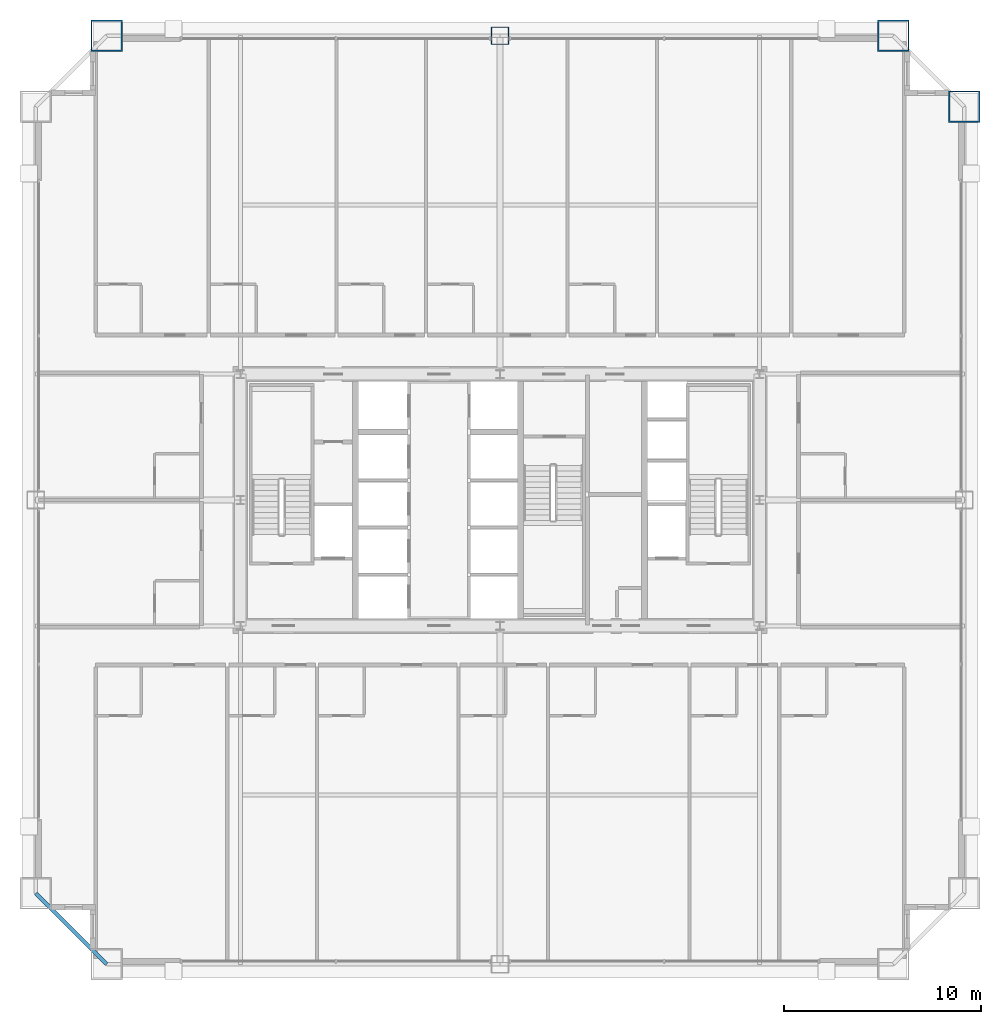
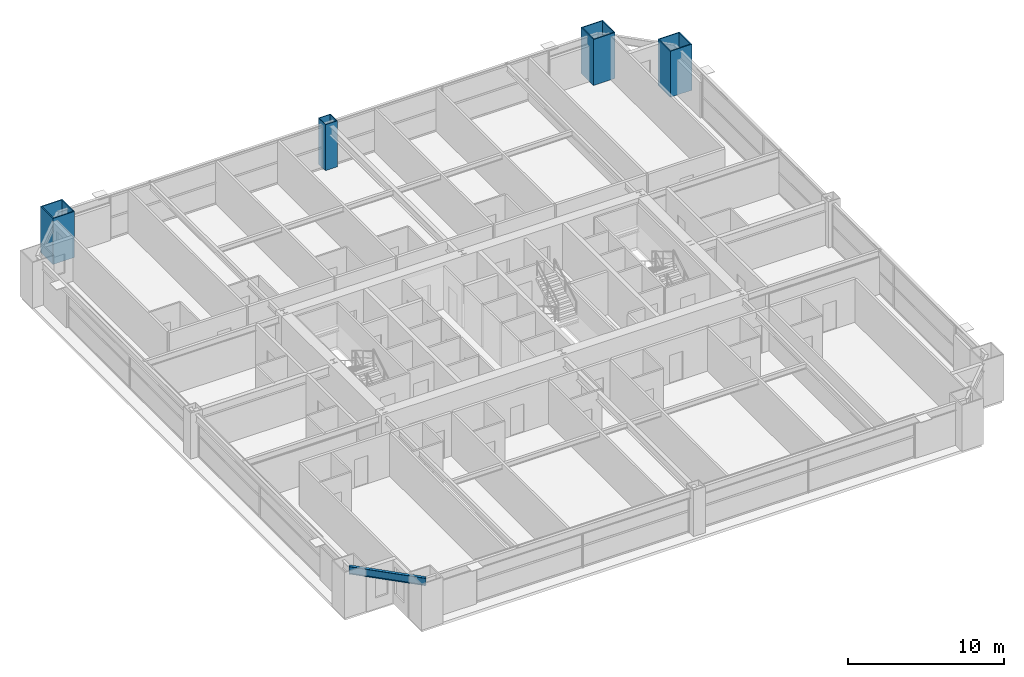
# One storey, part 2 of 38: 4 columns, 1 beam.
"""IFC4 building model written with IfcOpenShell, lengths in metres."""

from ifc_helpers import new_model, si_unit, direction, frame, origin, origin_2d, place, context, subcontext, project, spatial, hollow_rectangle, i_section, extrude, source, transform, mapped, material, material_profile, profile_set, type_object, element, save


model = new_model("IFC4")

# Units and contexts
model_context = context("Model", 3, precision=1e-05, world=origin(), true_north=direction((0.0, 1.0)))
body_context = subcontext(model_context, "Body", "Model", "MODEL_VIEW")
ifc_project = project(units=[si_unit("LENGTHUNIT", "METRE"), si_unit("AREAUNIT", "SQUARE_METRE"), si_unit("VOLUMEUNIT", "CUBIC_METRE"), si_unit("PLANEANGLEUNIT", "RADIAN"), si_unit("MASSUNIT", "GRAM", prefix="KILO"), si_unit("THERMODYNAMICTEMPERATUREUNIT", "KELVIN"), si_unit("POWERUNIT", "WATT")], contexts=[model_context])

# Site, building, storey
site_placement = place(None, origin())
site = spatial("IfcSite", under=ifc_project, at=site_placement, CompositionType="ELEMENT")
building_placement = place(site_placement, origin())
building = spatial("IfcBuilding", under=site, at=building_placement, Name="Yuzanri Waterfront Tower", CompositionType="ELEMENT")
storey_placement = place(building_placement, frame((0.0, 0.0, 90.199951171875)))
storey = spatial("IfcBuildingStorey", under=building, at=storey_placement, Name="L23", CompositionType="ELEMENT", Elevation=90.199951171875)

# Columns
ifc_material_1 = material(Name="Steel Q390GJC", Category="steel")
ifc_material_profile_1 = material_profile(ifc_material_1, hollow_rectangle(XDim=0.89990234375, YDim=0.89990234375, WallThickness=0.0419921875, at=origin_2d()), Name="RHS 900x900x42")
ifc_profile_set_1 = profile_set([ifc_material_profile_1], Name="Steel Q390GJC")
column_type_1 = type_object("IfcColumnType", Name="Frame Column Q390GJC RHS 900x900x42", PredefinedType="COLUMN", material=ifc_profile_set_1)
shared_shape_1 = source(origin(), body_context, "Body", "SweptSolid", [
    extrude(hollow_rectangle(XDim=0.89990234375, YDim=0.89990234375, WallThickness=0.0419921875, at=origin_2d()), origin(), (0.0, 0.0, 1.0), 3.60009765625),
])
column_placement = place(storey_placement, frame((37.0, 49.39990234375, 0.0), z_axis=(0.0, 0.0, 1.0), x_axis=(1.0, 0.0, 0.0)))
element("IfcColumn", 1, at=column_placement, inside=storey, type_object=column_type_1, Name="L23 Perimeter Frame Column N2", PredefinedType="COLUMN", context=body_context, shape_type="MappedRepresentation", body=[
    mapped(shared_shape_1, transform((0.0, 0.0, 0.0), scale=1.0)),
])
ifc_material_2 = material(Name="Steel Q420GJC", Category="steel")
ifc_material_profile_2 = material_profile(ifc_material_2, hollow_rectangle(XDim=1.60009765625, YDim=1.60009765625, WallThickness=0.070068359375, at=origin_2d()), Name="RHS 1600x1600x70")
ifc_profile_set_2 = profile_set([ifc_material_profile_2], Name="Steel Q420GJC")
column_type_2 = type_object("IfcColumnType", Name="Mega Column Q420GJC RHS 1600x1600x70", PredefinedType="COLUMN", material=ifc_profile_set_2)
shared_shape_2 = source(origin(), body_context, "Body", "SweptSolid", [
    extrude(hollow_rectangle(XDim=1.60009765625, YDim=1.60009765625, WallThickness=0.070068359375, at=origin_2d()), origin(), (0.0, 0.0, 1.0), 3.60009765625),
])
for number, where, z_axis, x_axis, name in (
    (2, (17.0, 49.39990234375, 0.0), (0.0, 0.0, 1.0), (1.0, 0.0, 0.0), "L23 Perimeter Mega Column N1"),
    (3, (57.0, 49.39990234375, 0.0), (0.0, 0.0, 1.0), (1.0, 0.0, 0.0), "L23 Perimeter Mega Column N3"),
    (4, (60.60009765625, 45.800048828125, 0.0), (0.0, 0.0, 1.0), (1.0, 0.0, 0.0), "L23 Perimeter Mega Column E3"),
):
    element("IfcColumn", number, at=place(storey_placement, frame(where, z_axis=z_axis, x_axis=x_axis)), inside=storey, type_object=column_type_2, Name=name, PredefinedType="COLUMN", context=body_context, shape_type="MappedRepresentation", body=[
        mapped(shared_shape_2, transform((0.0, 0.0, 0.0), scale=1.0)),
    ])

# Beam
ifc_material_3 = material(Name="Steel Q355B", Category="steel")
ifc_material_profile_3 = material_profile(ifc_material_3, i_section(OverallWidth=0.199951171875, OverallDepth=0.60009765625, WebThickness=0.010986328125, FlangeThickness=0.01708984375, at=origin_2d()), Name="HN 600x200x11x17")
ifc_profile_set_3 = profile_set([ifc_material_profile_3], Name="Steel Q355B")
beam_type = type_object("IfcBeamType", Name="Perimeter Spandrel Q355B HN 600x200", PredefinedType="SPANDREL", material=ifc_profile_set_3)
shared_shape_3 = source(origin(), body_context, "Body", "SweptSolid", [
    extrude(i_section(OverallWidth=0.199951171875, OverallDepth=0.60009765625, WebThickness=0.010986328125, FlangeThickness=0.01708984375, at=origin_2d()), origin(), (0.0, 0.0, 1.0), 5.09130859375),
])
beam_placement = place(storey_placement, frame((13.39990234375, 5.800048828125, 3.080078125), z_axis=(0.707106781187, -0.707106781187, 0.0), x_axis=(0.707106781187, 0.707106781187, 0.0)))
element("IfcBeam", 5, at=beam_placement, inside=storey, type_object=beam_type, Name="L23 Perimeter Spandrel W1-S1", PredefinedType="SPANDREL", context=body_context, shape_type="MappedRepresentation", body=[
    mapped(shared_shape_3, transform((0.0, 0.0, 0.0), scale=1.0)),
])

save(model, "model.ifc")
